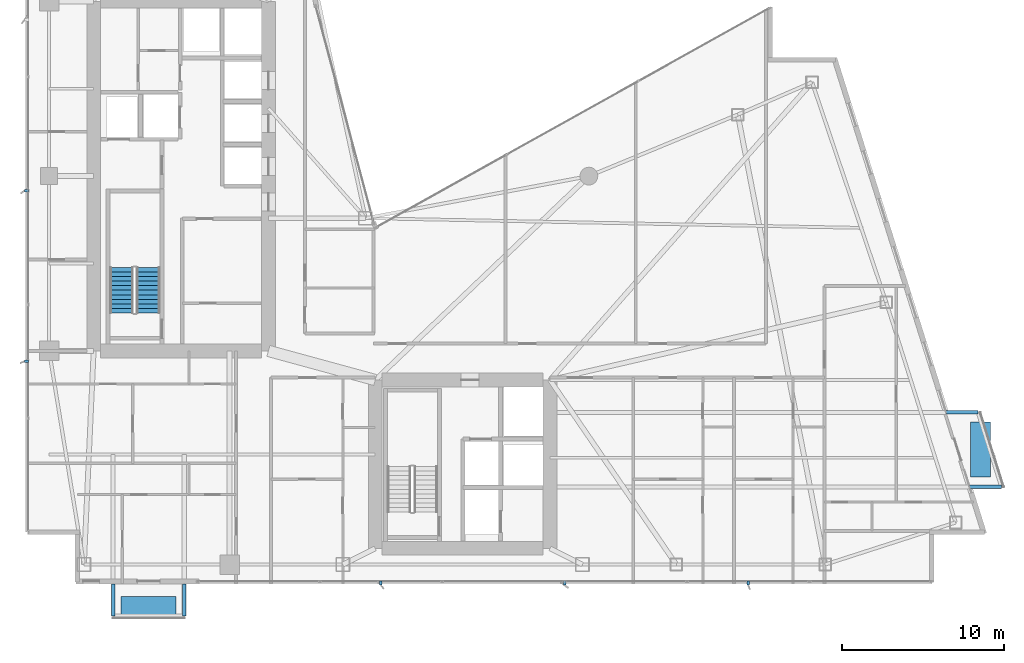
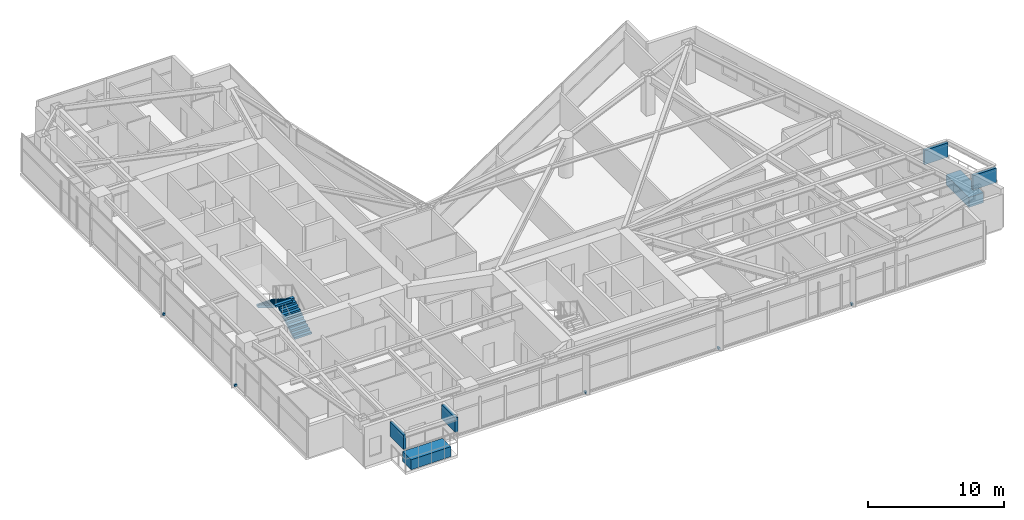
# One storey, part 26 of 29: 11 discrete accessories, 2 stair flights, 1 element without a shape of its own.
"""IFC4 building model written with IfcOpenShell, lengths in metres."""

from ifc_helpers import new_model, si_unit, direction, frame, origin, origin_2d, place, context, subcontext, project, spatial, polyline, rectangle, outline, extrude, material, type_object, element, aggregate, save


model = new_model("IFC4")

# Units and contexts
model_context = context("Model", 3, precision=1e-05, world=origin(), true_north=direction((0.0, 1.0)))
body_context = subcontext(model_context, "Body", "Model", "MODEL_VIEW")
ifc_project = project(units=[si_unit("LENGTHUNIT", "METRE"), si_unit("AREAUNIT", "SQUARE_METRE"), si_unit("VOLUMEUNIT", "CUBIC_METRE"), si_unit("PLANEANGLEUNIT", "RADIAN"), si_unit("MASSUNIT", "GRAM", prefix="KILO")], contexts=[model_context])

# Site, building, storey
site_placement = place(None, origin())
site = spatial("IfcSite", under=ifc_project, at=site_placement, CompositionType="ELEMENT")
building_placement = place(site_placement, origin())
building = spatial("IfcBuilding", under=site, at=building_placement, Name="Calvorn Quay Hotel", CompositionType="ELEMENT")
storey_placement = place(building_placement, frame((0.0, 0.0, 120.199951171875)))
storey = spatial("IfcBuildingStorey", under=building, at=storey_placement, Name="L29", CompositionType="ELEMENT", Elevation=120.199951171875)

# Stair, stair flights
ifc_material_1 = material(Name="Concrete C40", Category="concrete")
stair_type = type_object("IfcStairType", Name="STR-CORE-DOGLEG", PredefinedType="HALF_TURN_STAIR", material=ifc_material_1)
stair_placement = place(storey_placement, origin())
stair = element("IfcStair", 1, at=stair_placement, inside=storey, type_object=stair_type, Name="L29 ST-W", PredefinedType="HALF_TURN_STAIR")
ifc_material_2 = material(Name="Concrete C40", Category="concrete")
stair_flight_type = type_object("IfcStairFlightType", Name="FLT-CORE-1550", PredefinedType="STRAIGHT", material=ifc_material_2)
stair_flight_1_placement = place(storey_placement, frame((7.574951171875, 19.14990234375, 0.0), z_axis=(0.0, 0.0, 1.0), x_axis=(0.0, 1.0, 0.0)))
stair_flight_1 = element("IfcStairFlight", 2, at=stair_flight_1_placement, type_object=stair_flight_type, Name="ST-W flight 1", NumberOfRisers=11, NumberOfTreads=10, PredefinedType="STRAIGHT", RiserHeight=0.172727273, TreadLength=0.28, context=body_context, shape_type="SweptSolid", body=[
    extrude(outline(polyline([(0.0, 0.0), (0.0, 0.172607421875), (0.280029296875, 0.172607421875), (0.280029296875, 0.345458984375), (0.56005859375, 0.345458984375), (0.56005859375, 0.51806640625), (0.840087890625, 0.51806640625), (0.840087890625, 0.69091796875), (1.1201171875, 0.69091796875), (1.1201171875, 0.863525390625), (1.39990234375, 0.863525390625), (1.39990234375, 1.036376953125), (1.679931640625, 1.036376953125), (1.679931640625, 1.208984375), (1.9599609375, 1.208984375), (1.9599609375, 1.3818359375), (2.239990234375, 1.3818359375), (2.239990234375, 1.554443359375), (2.52001953125, 1.554443359375), (2.52001953125, 1.727294921875), (2.800048828125, 1.727294921875), (2.800048828125, 1.89990234375), (2.800048828125, 1.551025390625), (0.285400390625, 0.0), (0.0, 0.0)])), frame((0.0, 0.72509765625, 0.0), z_axis=(0.0, -1.0, 0.0), x_axis=(1.0, 0.0, 0.0)), (0.0, 0.0, 1.0), 1.449951171875),
])
stair_flight_2_placement = place(storey_placement, frame((5.925048828125, 21.949951171875, 1.900146484375), z_axis=(0.0, 0.0, 1.0), x_axis=(0.0, -1.0, 0.0)))
stair_flight_2 = element("IfcStairFlight", 3, at=stair_flight_2_placement, type_object=stair_flight_type, Name="ST-W flight 2", NumberOfRisers=11, NumberOfTreads=10, PredefinedType="STRAIGHT", RiserHeight=0.172727273, TreadLength=0.28, context=body_context, shape_type="SweptSolid", body=[
    extrude(outline(polyline([(0.0, 0.0), (0.0, 0.172607421875), (0.280029296875, 0.172607421875), (0.280029296875, 0.345458984375), (0.56005859375, 0.345458984375), (0.56005859375, 0.51806640625), (0.840087890625, 0.51806640625), (0.840087890625, 0.69091796875), (1.1201171875, 0.69091796875), (1.1201171875, 0.863525390625), (1.39990234375, 0.863525390625), (1.39990234375, 1.036376953125), (1.679931640625, 1.036376953125), (1.679931640625, 1.208984375), (1.9599609375, 1.208984375), (1.9599609375, 1.3818359375), (2.239990234375, 1.3818359375), (2.239990234375, 1.554443359375), (2.52001953125, 1.554443359375), (2.52001953125, 1.727294921875), (2.800048828125, 1.727294921875), (2.800048828125, 1.89990234375), (2.800048828125, 1.551025390625), (0.285400390625, 0.0), (0.0, 0.0)])), frame((0.0, 0.72509765625, 0.0), z_axis=(0.0, -1.0, 0.0), x_axis=(1.0, 0.0, 0.0)), (0.0, 0.0, 1.0), 1.449951171875),
])
aggregate(stair, [stair_flight_1, stair_flight_2])

# Discrete accessories
ifc_material_3 = material(Name="Steel Q355B", Category="steel")
discrete_accessory_type_1 = type_object("IfcDiscreteAccessoryType", Name="ACC-BALC-STRUT", PredefinedType="BRACKET", material=ifc_material_3)
for number, where, z_axis, x_axis, name in (
    (4, (59.31298828125, 8.39990234375, 2.01513671875), (0.0, 0.0, 1.0), (1.0, 0.0, 0.0), "Exterior Balcony Steel Bracket L30-BALC-E-A"),
    (5, (57.863037109375, 13.0, 2.01513671875), (0.0, 0.0, 1.0), (1.0, 0.0, 0.0), "Exterior Balcony Steel Bracket L30-BALC-E-B"),
):
    element("IfcDiscreteAccessory", number, at=place(storey_placement, frame(where, z_axis=z_axis, x_axis=x_axis)), inside=storey, type_object=discrete_accessory_type_1, Name=name, PredefinedType="BRACKET", context=body_context, shape_type="SweptSolid", body=[
        extrude(rectangle(XDim=1.989990234375, YDim=0.219970703125, at=origin_2d()), origin(), (0.0, 0.0, 1.0), 1.300048828125),
    ])
for number, where, z_axis, x_axis, name in (
    (6, (5.39990234375, 1.405029296875, 2.01513671875), (0.0, 0.0, 1.0), (1.0, 0.0, 0.0), "Exterior Balcony Steel Bracket L30-BALC-S-A"),
    (7, (9.800048828125, 1.405029296875, 2.01513671875), (0.0, 0.0, 1.0), (1.0, 0.0, 0.0), "Exterior Balcony Steel Bracket L30-BALC-S-B"),
):
    element("IfcDiscreteAccessory", number, at=place(storey_placement, frame(where, z_axis=z_axis, x_axis=x_axis)), inside=storey, type_object=discrete_accessory_type_1, Name=name, PredefinedType="BRACKET", context=body_context, shape_type="SweptSolid", body=[
        extrude(rectangle(XDim=0.219970703125, YDim=1.989990234375, at=origin_2d()), origin(), (0.0, 0.0, 1.0), 1.300048828125),
    ])
ifc_material_4 = material(Name="Steel Q355B", Category="steel")
discrete_accessory_type_2 = type_object("IfcDiscreteAccessoryType", Name="ACC-FIN-BRACKET", PredefinedType="BRACKET", material=ifc_material_4)
for number, where, z_axis, x_axis, name in (
    (8, (0.06005859375, 16.14990234375, 0.0302734375), (0.0, 0.0, 1.0), (1.0, 0.0, 0.0), "Fin Anchor Bracket L29-W01"),
    (9, (0.06005859375, 26.699951171875, 0.0302734375), (0.0, 0.0, 1.0), (1.0, 0.0, 0.0), "Fin Anchor Bracket L29-W02"),
    (10, (21.949951171875, 2.4599609375, 0.0302734375), (0.0, 0.0, 1.0), (0.0, 1.0, 0.0), "Fin Anchor Bracket L29-S01"),
    (11, (33.300048828125, 2.4599609375, 0.0302734375), (0.0, 0.0, 1.0), (0.0, 1.0, 0.0), "Fin Anchor Bracket L29-S02"),
    (12, (44.64990234375, 2.4599609375, 0.0302734375), (0.0, 0.0, 1.0), (0.0, 1.0, 0.0), "Fin Anchor Bracket L29-S03"),
):
    element("IfcDiscreteAccessory", number, at=place(storey_placement, frame(where, z_axis=z_axis, x_axis=x_axis)), inside=storey, type_object=discrete_accessory_type_2, Name=name, PredefinedType="BRACKET", context=body_context, shape_type="SweptSolid", body=[
        extrude(rectangle(XDim=0.239990234375, YDim=0.159912109375, at=origin_2d()), origin(), (0.0, 0.0, 1.0), 0.179931640625),
    ])
ifc_material_5 = material(Name="Precast concrete C40", Category="concrete")
discrete_accessory_type_3 = type_object("IfcDiscreteAccessoryType", Name="ACC-TREE-PLANTER", PredefinedType="USERDEFINED", material=ifc_material_5)
discrete_accessory_1_placement = place(storey_placement, frame((59.0029296875, 10.699951171875, 0.0), z_axis=(0.0, 0.0, 1.0), x_axis=(1.0, 0.0, 0.0)))
element("IfcDiscreteAccessory", 13, at=discrete_accessory_1_placement, inside=storey, type_object=discrete_accessory_type_3, Name="Subtropical Tree Structural Planter L29-BALC-E", ObjectType="PLANTER", PredefinedType="USERDEFINED", context=body_context, shape_type="SweptSolid", body=[
    extrude(rectangle(XDim=1.25, YDim=3.39990234375, at=origin_2d()), origin(), (0.0, 0.0, 1.0), 0.89990234375),
])
discrete_accessory_2_placement = place(storey_placement, frame((7.60009765625, 0.989990234375, 0.0), z_axis=(0.0, 0.0, 1.0), x_axis=(1.0, 0.0, 0.0)))
element("IfcDiscreteAccessory", 14, at=discrete_accessory_2_placement, inside=storey, type_object=discrete_accessory_type_3, Name="Subtropical Tree Structural Planter L29-BALC-S", ObjectType="PLANTER", PredefinedType="USERDEFINED", context=body_context, shape_type="SweptSolid", body=[
    extrude(rectangle(XDim=3.39990234375, YDim=1.25, at=origin_2d()), origin(), (0.0, 0.0, 1.0), 0.89990234375),
])

save(model, "model.ifc")
